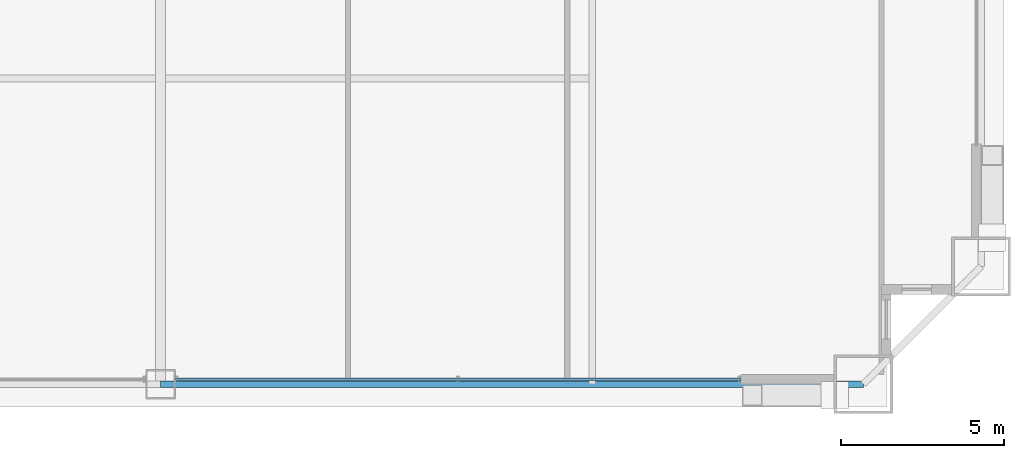
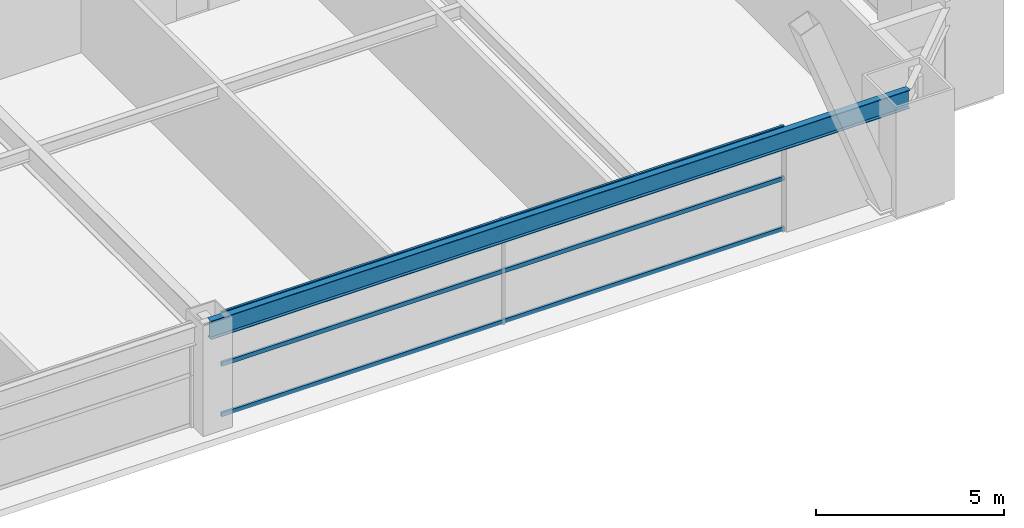
# One storey, part 14 of 43: 3 members, 1 beam, 1 element without a shape of its own.
"""IFC4 building model written with IfcOpenShell, lengths in metres."""

import ifcopenshell
import ifcopenshell.guid

model = None  # the IFC model being written
_history = None  # IfcOwnerHistory: only IFC2X3 demands one
_inside = {}  # id of a spatial element -> (the spatial element, [elements in it])
_under = {}  # id of a project, library or spatial element -> (it, [spatial elements below it])
_declared = {}  # id of a project -> (the project, [libraries it declares])
_typed = {}  # id of a type object -> (the type object, [elements of that type])
_made_of = {}  # id of a material, layer set ... -> (it, [elements and type objects made of it])


def new_model(schema):
    """Start an empty IFC model of exactly this schema.

    Asked for "IFC4X3", IfcOpenShell would pick the latest addendum, in which some entities
    have other attributes; the version numbers below select the first issue.
    IFC2X3 requires an IfcOwnerHistory on every rooted entity: one is made here for all.
    """
    global model, _history
    if schema == "IFC4X3":
        model = ifcopenshell.file(schema_version=(4, 3, 0, 0))
    else:
        model = ifcopenshell.file(schema=schema)
    _inside.clear()
    _under.clear()
    _declared.clear()
    _typed.clear()
    _made_of.clear()
    _history = None
    if model.schema == "IFC2X3":
        org = make("IfcOrganization", Name="unknown")
        user = make(
            "IfcPersonAndOrganization",
            ThePerson=make("IfcPerson", FamilyName="unknown"),
            TheOrganization=org,
        )
        app = make(
            "IfcApplication",
            ApplicationDeveloper=org,
            Version="unknown",
            ApplicationFullName="unknown",
            ApplicationIdentifier="unknown",
        )
        _history = make(
            "IfcOwnerHistory",
            OwningUser=user,
            OwningApplication=app,
            ChangeAction="ADDED",
            CreationDate=0,
        )
    return model


def make(cls, **values):
    """One entity of the class cls with the attributes given. An attribute that is None is left unset."""
    return model.create_entity(
        cls, **{name: value for name, value in values.items() if value is not None}
    )


def rooted(cls, **values):
    """An entity with a GlobalId (a new one), such as an element, a storey or a relation."""
    return make(cls, GlobalId=ifcopenshell.guid.new(), OwnerHistory=_history, **values)


def si_unit(unit_type, name, prefix=None):
    """IfcSIUnit, for example si_unit("LENGTHUNIT", "METRE", prefix="MILLI")."""
    return make("IfcSIUnit", UnitType=unit_type, Prefix=prefix, Name=name)


def assignment(units):
    """IfcUnitAssignment: the units of a project."""
    return None if units is None else make("IfcUnitAssignment", Units=units)


def point(xyz):
    """IfcCartesianPoint."""
    return None if xyz is None else make("IfcCartesianPoint", Coordinates=xyz)


def direction(xyz):
    """IfcDirection."""
    return None if xyz is None else make("IfcDirection", DirectionRatios=xyz)


def frame(location, z_axis=None, x_axis=None):
    """IfcAxis2Placement3D, a coordinate frame: its origin and axes. An axis left out is left unset."""
    return make(
        "IfcAxis2Placement3D",
        Location=point(location),
        Axis=direction(z_axis),
        RefDirection=direction(x_axis),
    )


def frame_2d(location, x_axis=None):
    """IfcAxis2Placement2D, a coordinate frame in the plane: its origin and x axis."""
    return make(
        "IfcAxis2Placement2D", Location=point(location), RefDirection=direction(x_axis)
    )


def origin():
    """The frame at (0, 0, 0) with its axes left unset."""
    return frame((0.0, 0.0, 0.0))


def origin_2d():
    """The frame at (0, 0) in the plane with its x axis left unset."""
    return frame_2d((0.0, 0.0))


def place(relative_to, where):
    """IfcLocalPlacement: puts the frame where relative to a parent placement (None: the world)."""
    return make(
        "IfcLocalPlacement", PlacementRelTo=relative_to, RelativePlacement=where
    )


def context(
    kind, dimensions, precision=None, world=None, true_north=None, identifier=None
):
    """IfcGeometricRepresentationContext, for example the 3D "Model" context."""
    return make(
        "IfcGeometricRepresentationContext",
        ContextIdentifier=identifier,
        ContextType=kind,
        CoordinateSpaceDimension=dimensions,
        Precision=precision,
        WorldCoordinateSystem=world,
        TrueNorth=true_north,
    )


def subcontext(parent, identifier, kind, view, scale=None):
    """IfcGeometricRepresentationSubContext, for example "Body" below "Model"."""
    return make(
        "IfcGeometricRepresentationSubContext",
        ContextIdentifier=identifier,
        ContextType=kind,
        ParentContext=parent,
        TargetScale=scale,
        TargetView=view,
    )


def project(units=None, contexts=None):
    """IfcProject with its units and contexts."""
    return rooted(
        "IfcProject",
        Name="project",
        RepresentationContexts=contexts,
        UnitsInContext=assignment(units),
    )


def spatial(cls, under=None, at=None, **own):
    """A site, building, storey or space (cls), placed at a placement, below another one or the project."""
    s = rooted(cls, ObjectPlacement=at, **own)
    if under is not None:
        _under.setdefault(under.id(), (under, []))[1].append(s)
    return s


def profile(cls, at=None, kind="AREA", **sizes):
    """A parametric profile (cls). Its sizes go by their IFC names, for example OverallWidth=200.0."""
    return make(cls, ProfileType=kind, Position=at, **sizes)


def hollow_rectangle(**sizes):
    """IfcRectangleHollowProfileDef."""
    return profile("IfcRectangleHollowProfileDef", **sizes)


def i_section(**sizes):
    """IfcIShapeProfileDef."""
    return profile("IfcIShapeProfileDef", **sizes)


def extrude(swept, where, along, depth):
    """IfcExtrudedAreaSolid: the profile swept, set in the frame where, extruded along a direction by depth."""
    return make(
        "IfcExtrudedAreaSolid",
        SweptArea=swept,
        Position=where,
        ExtrudedDirection=direction(along),
        Depth=depth,
    )


def shape(context_of_items, identifier, shape_type, items):
    """IfcShapeRepresentation: the items that make up one representation, for example the "Body"."""
    return make(
        "IfcShapeRepresentation",
        ContextOfItems=context_of_items,
        RepresentationIdentifier=identifier,
        RepresentationType=shape_type,
        Items=items,
    )


def source(mapping_origin, context_of_items, identifier, shape_type, items):
    """IfcRepresentationMap: a shape defined once, which mapped items show again and again."""
    return make(
        "IfcRepresentationMap",
        MappingOrigin=mapping_origin,
        MappedRepresentation=shape(context_of_items, identifier, shape_type, items),
    )


def transform(
    local_origin,
    x_axis=None,
    y_axis=None,
    z_axis=None,
    scale=None,
    scale2=None,
    scale3=None,
    uniform=True,
):
    """IfcCartesianTransformationOperator3D, or its non-uniform kind. x_axis, y_axis, z_axis: its Axis1, 2, 3."""
    if uniform:
        return make(
            "IfcCartesianTransformationOperator3D",
            Axis1=direction(x_axis),
            Axis2=direction(y_axis),
            LocalOrigin=point(local_origin),
            Scale=scale,
            Axis3=direction(z_axis),
        )
    return make(
        "IfcCartesianTransformationOperator3DnonUniform",
        Axis1=direction(x_axis),
        Axis2=direction(y_axis),
        LocalOrigin=point(local_origin),
        Scale=scale,
        Axis3=direction(z_axis),
        Scale2=scale2,
        Scale3=scale3,
    )


def mapped(mapping_source, mapping_target):
    """IfcMappedItem: shows the shape of a source again, moved by a transform."""
    return make(
        "IfcMappedItem", MappingSource=mapping_source, MappingTarget=mapping_target
    )


def material(Name=None, Category=None):
    """IfcMaterial."""
    return make("IfcMaterial", Name=Name, Category=Category)


def layer(
    of_material, thickness, ventilated=None, Name=None, Category=None, Priority=None
):
    """IfcMaterialLayer: one layer of a wall or slab, of a material (None: an air gap)."""
    return make(
        "IfcMaterialLayer",
        Material=of_material,
        LayerThickness=thickness,
        IsVentilated=ventilated,
        Name=Name,
        Category=Category,
        Priority=Priority,
    )


def layer_set(layers, Name=None):
    """IfcMaterialLayerSet."""
    return make("IfcMaterialLayerSet", MaterialLayers=layers, LayerSetName=Name)


def material_profile(
    of_material, cross_section, Name=None, Category=None, Priority=None
):
    """IfcMaterialProfile: a cross section and its material."""
    return make(
        "IfcMaterialProfile",
        Name=Name,
        Material=of_material,
        Profile=cross_section,
        Priority=Priority,
        Category=Category,
    )


def profile_set(profiles, Name=None, composite=None):
    """IfcMaterialProfileSet."""
    return make(
        "IfcMaterialProfileSet",
        Name=Name,
        MaterialProfiles=profiles,
        CompositeProfile=composite,
    )


def made_of(thing, what):
    """Note that an element or type object is made of a material, layer set ...; save() writes the relation."""
    if what is not None:
        _made_of.setdefault(what.id(), (what, []))[1].append(thing)
    return thing


def type_object(cls, material=None, **own):
    """A type object (cls), such as IfcWallType, which elements share."""
    return made_of(rooted(cls, **own), material)


def element(
    cls,
    number,
    at=None,
    inside=None,
    cuts=None,
    type_object=None,
    material=None,
    context=None,
    identifier="Body",
    shape_type=None,
    held_by="IfcProductDefinitionShape",
    body=None,
    shapes=None,
    **own,
):
    """One element of the class cls, such as IfcWall. Its Tag is "e" and its number.

    at: its placement. inside: the storey or other place that contains it. cuts: it is an
    opening in that element (IfcRelVoidsElement). A single representation is given by context,
    identifier, shape_type and body (its items); several are given by shapes. held_by: the class
    of the entity that holds the representations. save() writes the other relations.
    """
    e = rooted(cls, Tag="e%d" % number, ObjectPlacement=at, **own)
    if body is not None:
        shapes = [shape(context, identifier, shape_type, body)]
    if shapes is not None:
        e.Representation = make(held_by, Representations=shapes)
    if inside is not None:
        _inside.setdefault(inside.id(), (inside, []))[1].append(e)
    if cuts is not None:
        rooted(
            "IfcRelVoidsElement", RelatingBuildingElement=cuts, RelatedOpeningElement=e
        )
    if type_object is not None:
        _typed.setdefault(type_object.id(), (type_object, []))[1].append(e)
    return made_of(e, material)


def aggregate(whole, parts):
    """IfcRelAggregates: a whole, such as a stair, and the parts it consists of."""
    return rooted("IfcRelAggregates", RelatingObject=whole, RelatedObjects=parts)


def save(model, path):
    """Write the relations noted so far, then the file.

    IfcRelAggregates (storeys below a building ...), IfcRelContainedInSpatialStructure (elements
    in a storey), IfcRelDefinesByType, IfcRelAssociatesMaterial and IfcRelDeclares: one each for
    every whole, place, type object, material and project.
    """
    for whole, parts in _under.values():
        aggregate(whole, parts)
    for where, things in _inside.values():
        rooted(
            "IfcRelContainedInSpatialStructure",
            RelatedElements=things,
            RelatingStructure=where,
        )
    for kind, things in _typed.values():
        rooted("IfcRelDefinesByType", RelatedObjects=things, RelatingType=kind)
    for what, things in _made_of.values():
        rooted("IfcRelAssociatesMaterial", RelatedObjects=things, RelatingMaterial=what)
    for by, libraries in _declared.values():
        rooted("IfcRelDeclares", RelatingContext=by, RelatedDefinitions=libraries)
    model.write(path)


model = new_model("IFC4")

# Units and contexts
model_context = context("Model", 3, precision=1e-05, world=origin(), true_north=direction((0.0, 1.0)))
body_context = subcontext(model_context, "Body", "Model", "MODEL_VIEW")
ifc_project = project(units=[si_unit("LENGTHUNIT", "METRE"), si_unit("AREAUNIT", "SQUARE_METRE"), si_unit("VOLUMEUNIT", "CUBIC_METRE"), si_unit("PLANEANGLEUNIT", "RADIAN"), si_unit("MASSUNIT", "GRAM", prefix="KILO"), si_unit("THERMODYNAMICTEMPERATUREUNIT", "KELVIN"), si_unit("POWERUNIT", "WATT")], contexts=[model_context])

# Site, building, storey
site_placement = place(None, origin())
site = spatial("IfcSite", under=ifc_project, at=site_placement, CompositionType="ELEMENT")
building_placement = place(site_placement, origin())
building = spatial("IfcBuilding", under=site, at=building_placement, Name="Yuzanri Waterfront Tower", CompositionType="ELEMENT")
storey_placement = place(building_placement, frame((0.0, 0.0, 53.199951171875)))
storey = spatial("IfcBuildingStorey", under=building, at=storey_placement, Name="L13", CompositionType="ELEMENT", Elevation=53.199951171875)

# Beam
ifc_material_1 = material(Name="Steel Q355B", Category="steel")
ifc_material_profile_1 = material_profile(ifc_material_1, i_section(OverallWidth=0.199951171875, OverallDepth=0.60009765625, WebThickness=0.010986328125, FlangeThickness=0.01708984375, at=origin_2d()), Name="HN 600x200x11x17")
ifc_profile_set_1 = profile_set([ifc_material_profile_1], Name="Steel Q355B")
beam_type = type_object("IfcBeamType", Name="Perimeter Spandrel Q355B HN 600x200", PredefinedType="SPANDREL", material=ifc_profile_set_1)
shared_shape_1 = source(origin(), body_context, "Body", "SweptSolid", [
    extrude(i_section(OverallWidth=0.199951171875, OverallDepth=0.60009765625, WebThickness=0.010986328125, FlangeThickness=0.01708984375, at=origin_2d()), origin(), (0.0, 0.0, 1.0), 21.5),
])
beam_placement = place(storey_placement, frame((37.0, 0.699951171875, 3.080078125), z_axis=(1.0, 0.0, 0.0), x_axis=(0.0, 1.0, 0.0)))
element("IfcBeam", 1, at=beam_placement, inside=storey, type_object=beam_type, Name="L13 Perimeter Spandrel S2-S3", PredefinedType="SPANDREL", context=body_context, shape_type="MappedRepresentation", body=[
    mapped(shared_shape_1, transform((0.0, 0.0, 0.0), scale=1.0)),
])

# Curtain wall, members
ifc_material_2 = material(Name="Anodized Architectural Bronze", Category="metal")
ifc_layer = layer(ifc_material_2, 0.159912109375)
ifc_layer_set = layer_set([ifc_layer], Name="Anodized Architectural Bronze")
curtain_wall_type = type_object("IfcCurtainWallType", Name="Anodized Bronze Hotel Lower-Tier Recessed Unitized Curtain Wall 8100", PredefinedType="NOTDEFINED", material=ifc_layer_set)
curtain_wall_placement = place(storey_placement, origin())
curtain_wall = element("IfcCurtainWall", 2, at=curtain_wall_placement, inside=storey, type_object=curtain_wall_type, Name="L13 Curtain Wall CW-L13-SR", PredefinedType="NOTDEFINED")
ifc_material_3 = material(Name="Anodized Architectural Bronze", Category="metal")
ifc_material_profile_2 = material_profile(ifc_material_3, hollow_rectangle(XDim=0.070068359375, YDim=0.135009765625, WallThickness=0.00341796875, at=origin_2d()), Name="CWT 70x135")
ifc_profile_set_2 = profile_set([ifc_material_profile_2], Name="Anodized Architectural Bronze")
member_type = type_object("IfcMemberType", Name="Anodized Bronze Standard Curtain-Wall Transom 70x135", PredefinedType="USERDEFINED", material=ifc_profile_set_2)
shared_shape_2 = source(origin(), body_context, "Body", "SweptSolid", [
    extrude(hollow_rectangle(XDim=0.070068359375, YDim=0.135009765625, WallThickness=0.00341796875, at=origin_2d()), origin(), (0.0, 0.0, 1.0), 17.300048828125),
])
member_1_placement = place(storey_placement, frame((37.449951171875, 0.85009765625, 0.050048828125), z_axis=(1.0, 0.0, 0.0), x_axis=(0.0, 1.0, 0.0)))
member_1 = element("IfcMember", 3, at=member_1_placement, type_object=member_type, Name="CW-L13-SR Transom 1", ObjectType="TRANSOM", PredefinedType="USERDEFINED", context=body_context, shape_type="MappedRepresentation", body=[
    mapped(shared_shape_2, transform((0.0, 0.0, 0.0), scale=1.0)),
])
member_2_placement = place(storey_placement, frame((37.449951171875, 0.85009765625, 1.68994140625), z_axis=(1.0, 0.0, 0.0), x_axis=(0.0, 1.0, 0.0)))
member_2 = element("IfcMember", 4, at=member_2_placement, type_object=member_type, Name="CW-L13-SR Transom 2", ObjectType="TRANSOM", PredefinedType="USERDEFINED", context=body_context, shape_type="MappedRepresentation", body=[
    mapped(shared_shape_2, transform((0.0, 0.0, 0.0), scale=1.0)),
])
member_3_placement = place(storey_placement, frame((37.449951171875, 0.85009765625, 3.330078125), z_axis=(1.0, 0.0, 0.0), x_axis=(0.0, 1.0, 0.0)))
member_3 = element("IfcMember", 5, at=member_3_placement, type_object=member_type, Name="CW-L13-SR Transom 3", ObjectType="TRANSOM", PredefinedType="USERDEFINED", context=body_context, shape_type="MappedRepresentation", body=[
    mapped(shared_shape_2, transform((0.0, 0.0, 0.0), scale=1.0)),
])
aggregate(curtain_wall, [member_1, member_2, member_3])

save(model, "model.ifc")
